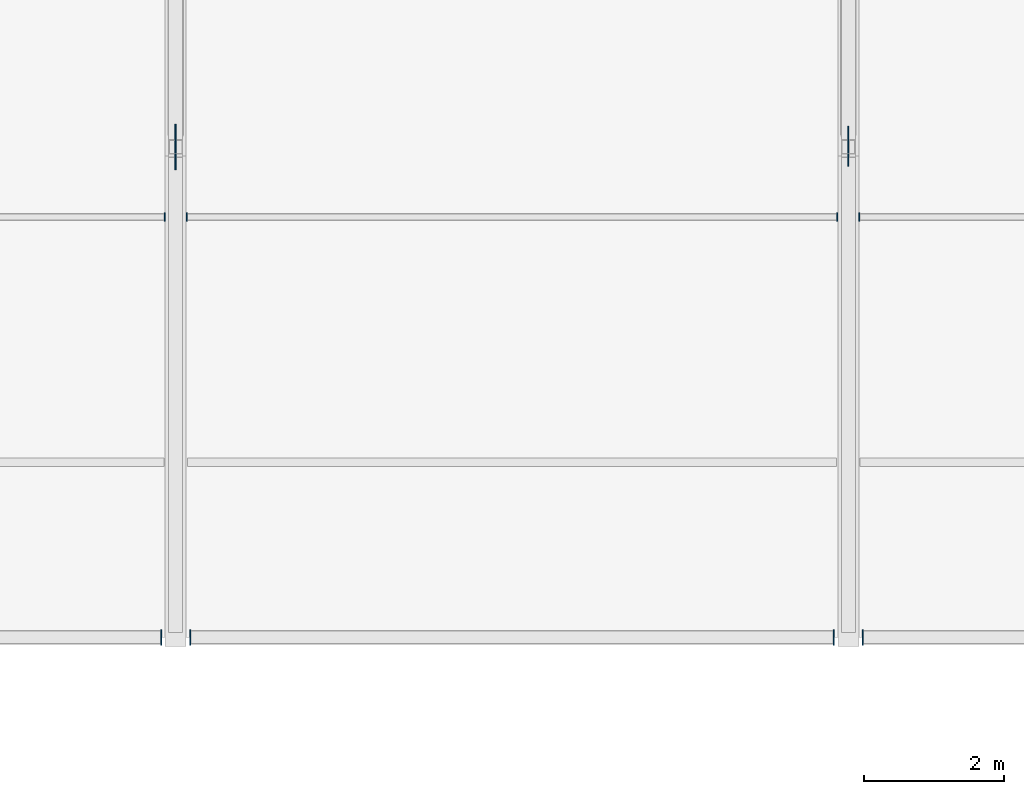
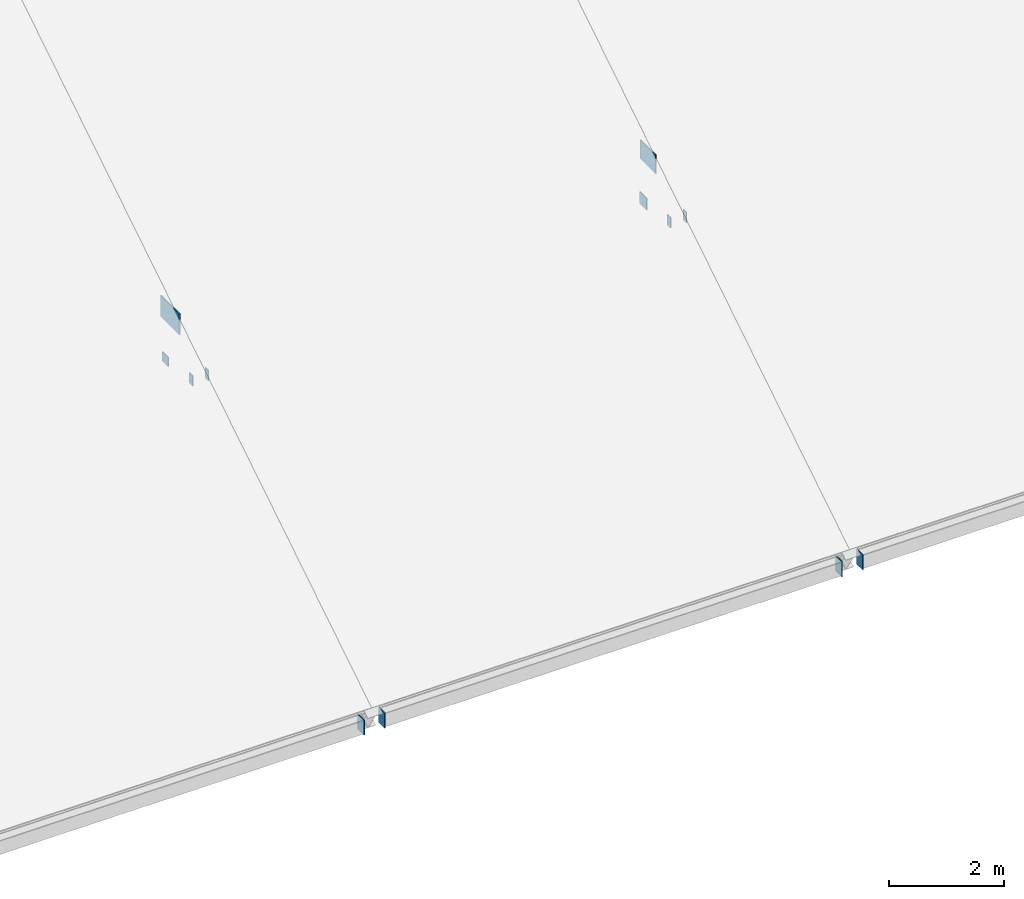
# One storey, part 39 of 66: 12 plates.
"""IFC4 building model written with IfcOpenShell, lengths in metres."""

from ifc_helpers import new_model, si_unit, direction, frame, origin, origin_2d, place, context, subcontext, project, spatial, rectangle, extrude, material, layer, layer_set, type_object, element, save


model = new_model("IFC4")

# Units and contexts
model_context = context("Model", 3, precision=1e-05, world=origin(), true_north=direction((0.0, 1.0)))
body_context = subcontext(model_context, "Body", "Model", "MODEL_VIEW")
ifc_project = project(units=[si_unit("LENGTHUNIT", "METRE"), si_unit("AREAUNIT", "SQUARE_METRE"), si_unit("VOLUMEUNIT", "CUBIC_METRE"), si_unit("PLANEANGLEUNIT", "RADIAN"), si_unit("MASSUNIT", "GRAM", prefix="KILO")], contexts=[model_context])

# Site, building, storey
site_placement = place(None, origin())
site = spatial("IfcSite", under=ifc_project, at=site_placement, CompositionType="ELEMENT")
building_placement = place(site_placement, origin())
building = spatial("IfcBuilding", under=site, at=building_placement, Name="Yeouljin Market Hall", CompositionType="ELEMENT")
storey_placement = place(building_placement, frame((0.0, 0.0, 23.39990234375)))
storey = spatial("IfcBuildingStorey", under=building, at=storey_placement, Name="RF", CompositionType="ELEMENT", Elevation=23.39990234375)

# Plates
ifc_material_1 = material(Name="Steel SM355", Category="steel")
ifc_layer_1 = layer(ifc_material_1, 0.01611328125)
ifc_layer_set_1 = layer_set([ifc_layer_1], Name="Steel SM355")
plate_type_1 = type_object("IfcPlateType", Name="CapPlate_200x200x16", PredefinedType="SHEET", material=ifc_layer_set_1)
plate_1_placement = place(storey_placement, frame((83.39990234375, 43.172119140625, -9.04052734375), z_axis=(0.0, 0.0, 1.0), x_axis=(0.0, 1.0, 0.0)))
element("IfcPlate", 1, at=plate_1_placement, inside=storey, type_object=plate_type_1, Name="Hollow web end-cap plate 0021", PredefinedType="SHEET", context=body_context, shape_type="SweptSolid", body=[
    extrude(rectangle(XDim=0.199951171875, YDim=0.01611328125, at=origin_2d()), origin(), (0.0, 0.0, 1.0), 0.199951171875),
])
ifc_material_2 = material(Name="Steel SM355", Category="steel")
ifc_layer_2 = layer(ifc_material_2, 0.01611328125)
ifc_layer_set_2 = layer_set([ifc_layer_2], Name="Steel SM355")
plate_type_2 = type_object("IfcPlateType", Name="CapPlate_220x120x16", PredefinedType="SHEET", material=ifc_layer_set_2)
for number, where, z_axis, x_axis, name in (
    (2, (83.241943359375, 42.0, -8.71826171875), (0.0, 0.0, 1.0), (0.0, 1.0, 0.0), "Purlin end-cap plate 0134"),
    (3, (83.55810546875, 42.0, -8.71826171875), (0.0, 0.0, 1.0), (0.0, 1.0, 0.0), "Purlin end-cap plate 0145"),
    (4, (92.842041015625, 42.0, -8.71826171875), (0.0, 0.0, 1.0), (0.0, 1.0, 0.0), "Purlin end-cap plate 0146"),
    (5, (93.157958984375, 42.0, -8.71826171875), (0.0, 0.0, 1.0), (0.0, 1.0, 0.0), "Purlin end-cap plate 0169"),
):
    element("IfcPlate", number, at=place(storey_placement, frame(where, z_axis=z_axis, x_axis=x_axis)), inside=storey, type_object=plate_type_2, Name=name, PredefinedType="SHEET", context=body_context, shape_type="SweptSolid", body=[
        extrude(rectangle(XDim=0.1201171875, YDim=0.01611328125, at=origin_2d()), origin(), (0.0, 0.0, 1.0), 0.219970703125),
    ])
ifc_material_3 = material(Name="Steel SM355", Category="steel")
ifc_layer_3 = layer(ifc_material_3, 0.01611328125)
ifc_layer_set_3 = layer_set([ifc_layer_3], Name="Steel SM355")
plate_type_3 = type_object("IfcPlateType", Name="CapPlate_250x250x16", PredefinedType="SHEET", material=ifc_layer_set_3)
plate_2_placement = place(storey_placement, frame((93.0, 43.172119140625, -9.065673828125), z_axis=(0.0, 0.0, 1.0), x_axis=(0.0, 1.0, 0.0)))
element("IfcPlate", 6, at=plate_2_placement, inside=storey, type_object=plate_type_3, Name="Hollow web end-cap plate 0025", PredefinedType="SHEET", context=body_context, shape_type="SweptSolid", body=[
    extrude(rectangle(XDim=0.25, YDim=0.01611328125, at=origin_2d()), origin(), (0.0, 0.0, 1.0), 0.25),
])
ifc_material_4 = material(Name="Steel SM355", Category="steel")
ifc_layer_4 = layer(ifc_material_4, 0.01611328125)
ifc_layer_set_4 = layer_set([ifc_layer_4], Name="Steel SM355")
plate_type_4 = type_object("IfcPlateType", Name="CapPlate_320x220x16", PredefinedType="SHEET", material=ifc_layer_set_4)
for number, where, z_axis, x_axis, name in (
    (7, (83.19189453125, 36.0, -12.43994140625), (0.0, 0.0, 1.0), (0.0, 1.0, 0.0), "Eaves girder end-cap plate S05-E"),
    (8, (83.60791015625, 36.0, -12.43994140625), (0.0, 0.0, 1.0), (0.0, 1.0, 0.0), "Eaves girder end-cap plate S06-W"),
    (9, (92.7919921875, 36.0, -12.43994140625), (0.0, 0.0, 1.0), (0.0, 1.0, 0.0), "Eaves girder end-cap plate S06-E"),
    (10, (93.2080078125, 36.0, -12.43994140625), (0.0, 0.0, 1.0), (0.0, 1.0, 0.0), "Eaves girder end-cap plate S07-W"),
):
    element("IfcPlate", number, at=place(storey_placement, frame(where, z_axis=z_axis, x_axis=x_axis)), inside=storey, type_object=plate_type_4, Name=name, PredefinedType="SHEET", context=body_context, shape_type="SweptSolid", body=[
        extrude(rectangle(XDim=0.219970703125, YDim=0.01611328125, at=origin_2d()), origin(), (0.0, 0.0, 1.0), 0.320068359375),
    ])
ifc_material_5 = material(Name="Steel SM355", Category="steel")
ifc_layer_5 = layer(ifc_material_5, 0.02001953125)
ifc_layer_set_5 = layer_set([ifc_layer_5], Name="Steel SM355")
plate_type_5 = type_object("IfcPlateType", Name="GussetPlate_550x400x20", PredefinedType="USERDEFINED", material=ifc_layer_set_5)
plate_3_placement = place(storey_placement, frame((93.0, 43.0, -8.099853515625), z_axis=(0.0, 0.0, 1.0), x_axis=(0.0, 1.0, 0.0)))
element("IfcPlate", 11, at=plate_3_placement, inside=storey, type_object=plate_type_5, Name="Truss node gusset plate 031", ObjectType="GUSSET PLATE", PredefinedType="USERDEFINED", context=body_context, shape_type="SweptSolid", body=[
    extrude(rectangle(XDim=0.550048828125, YDim=0.02001953125, at=origin_2d()), origin(), (0.0, 0.0, 1.0), 0.39990234375),
])
ifc_material_6 = material(Name="Steel SM355", Category="steel")
ifc_layer_6 = layer(ifc_material_6, 0.02197265625)
ifc_layer_set_6 = layer_set([ifc_layer_6], Name="Steel SM355")
plate_type_6 = type_object("IfcPlateType", Name="GussetPlate_650x450x22", PredefinedType="USERDEFINED", material=ifc_layer_set_6)
plate_4_placement = place(storey_placement, frame((83.39990234375, 43.0, -8.125), z_axis=(0.0, 0.0, 1.0), x_axis=(0.0, 1.0, 0.0)))
element("IfcPlate", 12, at=plate_4_placement, inside=storey, type_object=plate_type_6, Name="Truss node gusset plate 026", ObjectType="GUSSET PLATE", PredefinedType="USERDEFINED", context=body_context, shape_type="SweptSolid", body=[
    extrude(rectangle(XDim=0.64990234375, YDim=0.02197265625, at=origin_2d()), origin(), (0.0, 0.0, 1.0), 0.449951171875),
])

save(model, "model.ifc")
